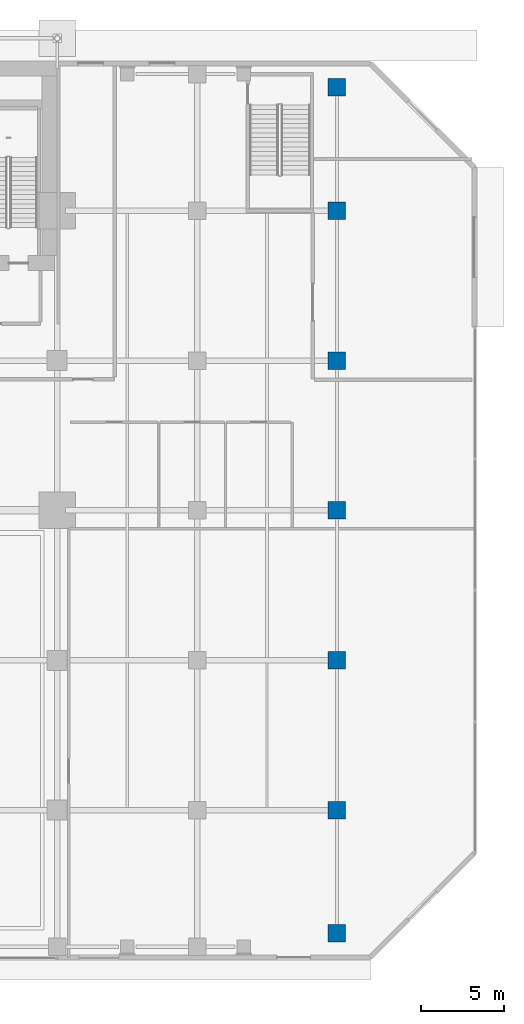
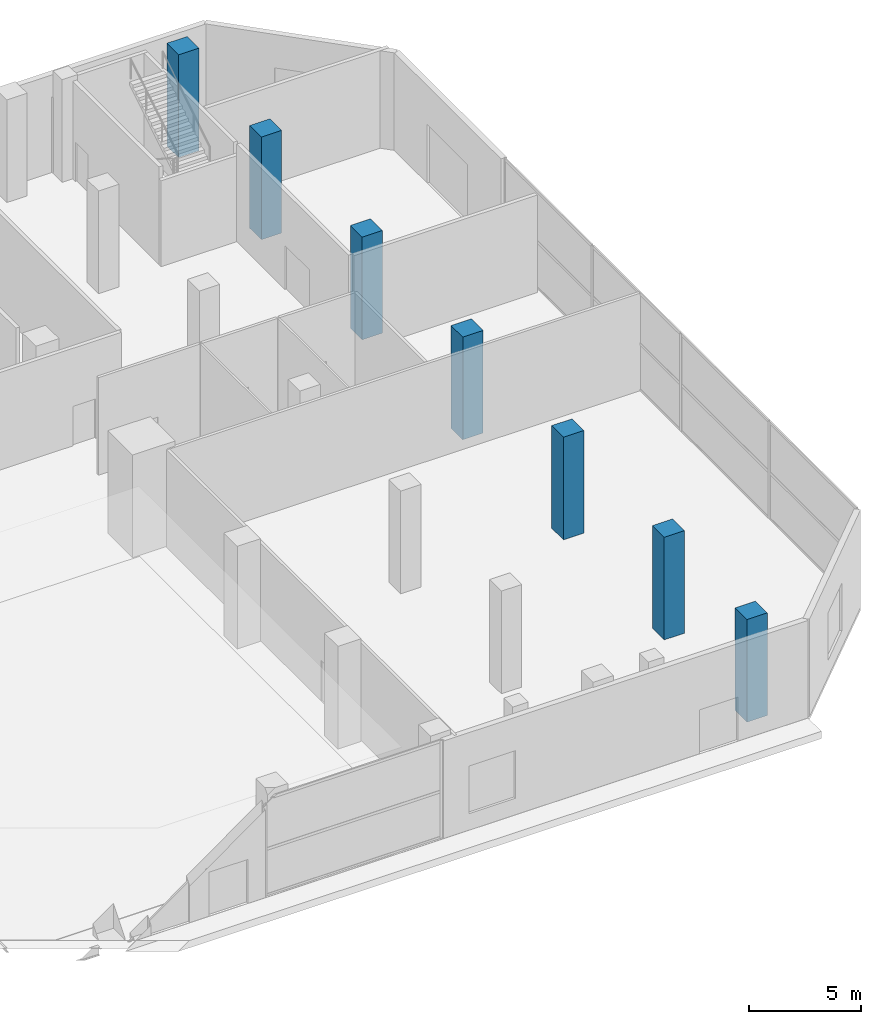
# One storey, part 3 of 35: 7 columns.
"""IFC4 building model written with IfcOpenShell, lengths in metres."""

from ifc_helpers import new_model, si_unit, direction, frame, origin, origin_2d, place, context, subcontext, project, spatial, rectangle, extrude, material, material_profile, profile_set, type_object, element, save


model = new_model("IFC4")

# Units and contexts
model_context = context("Model", 3, precision=1e-05, world=origin(), true_north=direction((0.0, 1.0)))
body_context = subcontext(model_context, "Body", "Model", "MODEL_VIEW")
ifc_project = project(units=[si_unit("LENGTHUNIT", "METRE"), si_unit("AREAUNIT", "SQUARE_METRE"), si_unit("VOLUMEUNIT", "CUBIC_METRE"), si_unit("PLANEANGLEUNIT", "RADIAN"), si_unit("MASSUNIT", "GRAM", prefix="KILO")], contexts=[model_context])

# Site, building, storey
site_placement = place(None, origin())
site = spatial("IfcSite", under=ifc_project, at=site_placement, CompositionType="ELEMENT")
building_placement = place(site_placement, origin())
building = spatial("IfcBuilding", under=site, at=building_placement, Name="Maruvema Waterfront Hotel and Observation Tower", CompositionType="ELEMENT")
storey_placement = place(building_placement, origin())
storey = spatial("IfcBuildingStorey", under=building, at=storey_placement, Name="L00", CompositionType="ELEMENT", Elevation=0.0)

# Columns
ifc_material = material(Name="Concrete C60/75", Category="concrete")
ifc_material_profile = material_profile(ifc_material, rectangle(XDim=1.050048828125, YDim=1.050048828125, at=origin_2d()), Name="RC1050x1050")
ifc_profile_set = profile_set([ifc_material_profile], Name="Concrete C60/75")
column_type = type_object("IfcColumnType", Name="Reinforced Concrete Column RC1050x1050", PredefinedType="COLUMN", material=ifc_profile_set)
for number, where, z_axis, x_axis, name in (
    (1, (67.199951171875, 1.60009765625, 0.0), (0.0, 0.0, 1.0), (1.0, 0.0, 0.0), "L00 Column C-9A"),
    (2, (67.199951171875, 9.0, 0.0), (0.0, 0.0, 1.0), (1.0, 0.0, 0.0), "L00 Column C-9B"),
    (3, (67.199951171875, 18.0, 0.0), (0.0, 0.0, 1.0), (1.0, 0.0, 0.0), "L00 Column C-9C"),
    (4, (67.199951171875, 27.0, 0.0), (0.0, 0.0, 1.0), (1.0, 0.0, 0.0), "L00 Column C-9D"),
    (5, (67.199951171875, 36.0, 0.0), (0.0, 0.0, 1.0), (1.0, 0.0, 0.0), "L00 Column C-9E"),
    (6, (67.199951171875, 45.0, 0.0), (0.0, 0.0, 1.0), (1.0, 0.0, 0.0), "L00 Column C-9F"),
    (7, (67.199951171875, 52.39990234375, 0.0), (0.0, 0.0, 1.0), (1.0, 0.0, 0.0), "L00 Column C-9G"),
):
    element("IfcColumn", number, at=place(storey_placement, frame(where, z_axis=z_axis, x_axis=x_axis)), inside=storey, type_object=column_type, Name=name, PredefinedType="COLUMN", context=body_context, shape_type="SweptSolid", body=[
        extrude(rectangle(XDim=1.050048828125, YDim=1.050048828125, at=origin_2d()), origin(), (0.0, 0.0, 1.0), 5.60009765625),
    ])

save(model, "model.ifc")
